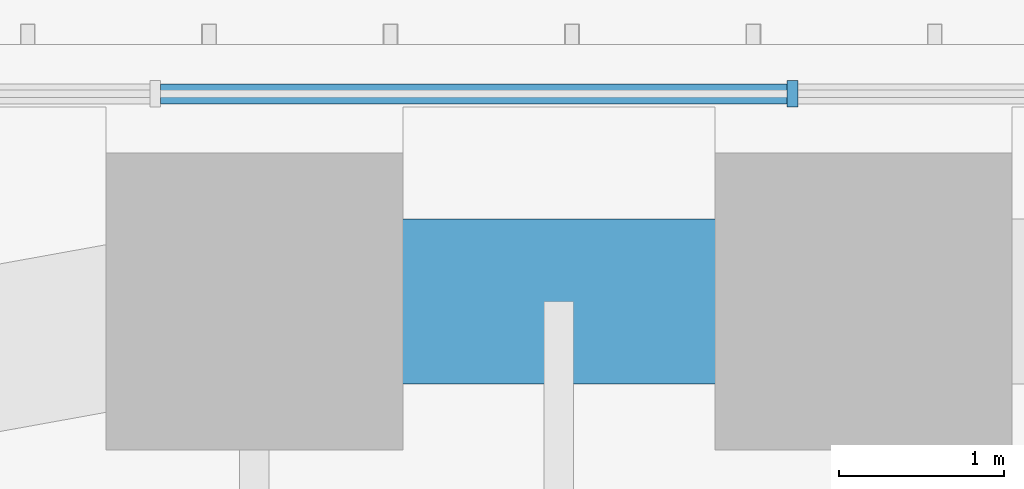
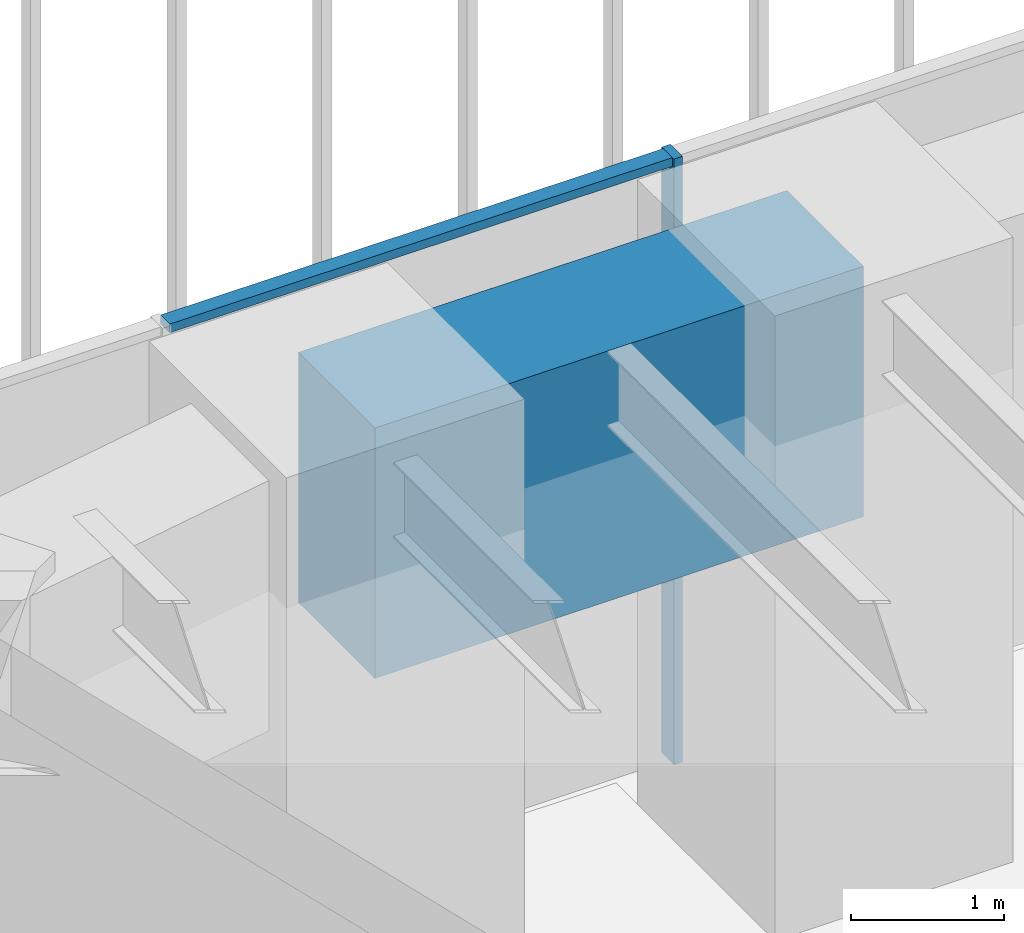
# One storey, part 159 of 228: 2 members, 1 beam, 1 element without a shape of its own.
"""IFC4 building model written with IfcOpenShell, lengths in metres."""

from ifc_helpers import new_model, si_unit, direction, frame, origin, origin_2d, place, context, subcontext, project, spatial, rectangle, extrude, material, material_profile, profile_set, type_object, element, aggregate, save


model = new_model("IFC4")

# Units and contexts
model_context = context("Model", 3, precision=1e-05, world=origin(), true_north=direction((0.0, 1.0)))
body_context = subcontext(model_context, "Body", "Model", "MODEL_VIEW")
ifc_project = project(units=[si_unit("LENGTHUNIT", "METRE"), si_unit("AREAUNIT", "SQUARE_METRE"), si_unit("VOLUMEUNIT", "CUBIC_METRE"), si_unit("PLANEANGLEUNIT", "RADIAN"), si_unit("MASSUNIT", "GRAM", prefix="KILO")], contexts=[model_context])

# Site, building, storey
site_placement = place(None, origin())
site = spatial("IfcSite", under=ifc_project, at=site_placement, CompositionType="ELEMENT")
building_placement = place(site_placement, origin())
building = spatial("IfcBuilding", under=site, at=building_placement, Name="Sandreach Pilgrim Tower", CompositionType="ELEMENT")
storey_placement = place(building_placement, frame((0.0, 0.0, 178.199951171875)))
storey = spatial("IfcBuildingStorey", under=building, at=storey_placement, Name="L44", CompositionType="ELEMENT", Elevation=178.199951171875)

# Curtain wall, members
ifc_material_1 = material(Name="Aluminium framed curtain wall", Category="aluminium")
curtain_wall_type = type_object("IfcCurtainWallType", Name="Upper hotel tower curtain wall", PredefinedType="NOTDEFINED", material=ifc_material_1)
curtain_wall_placement = place(storey_placement, origin())
curtain_wall = element("IfcCurtainWall", 1, at=curtain_wall_placement, inside=storey, type_object=curtain_wall_type, Name="CW-3 L44 N", PredefinedType="NOTDEFINED")
ifc_material_2 = material(Name="Aluminium extrusion", Category="aluminium")
ifc_material_profile_1 = material_profile(ifc_material_2, rectangle(XDim=0.06494140625, YDim=0.159912109375, at=origin_2d()), Name="CW-3M 65X160")
ifc_profile_set_1 = profile_set([ifc_material_profile_1], Name="Aluminium extrusion")
member_type_1 = type_object("IfcMemberType", Name="CW-3 mullion", PredefinedType="MULLION", material=ifc_profile_set_1)
member_1_placement = place(storey_placement, frame((-9.6611328125, 21.16015625, 0.0), z_axis=(0.0, 0.0, 1.0), x_axis=(1.0, 0.0, 0.0)))
member_1 = element("IfcMember", 2, at=member_1_placement, type_object=member_type_1, Name="CW-3 mullion 3", PredefinedType="MULLION", context=body_context, shape_type="SweptSolid", body=[
    extrude(rectangle(XDim=0.06494140625, YDim=0.159912109375, at=origin_2d()), origin(), (0.0, 0.0, 1.0), 4.840087890625),
])
ifc_material_3 = material(Name="Aluminium extrusion", Category="aluminium")
ifc_material_profile_2 = material_profile(ifc_material_3, rectangle(XDim=0.1201171875, YDim=0.070068359375, at=origin_2d()), Name="CW-3T 120X70")
ifc_profile_set_2 = profile_set([ifc_material_profile_2], Name="Aluminium extrusion")
member_type_2 = type_object("IfcMemberType", Name="CW-3 transom", PredefinedType="USERDEFINED", material=ifc_profile_set_2)
member_2_placement = place(storey_placement, frame((-13.492919921875, 21.16015625, 4.804931640625), z_axis=(1.0, 0.0, 0.0), x_axis=(0.0, 1.0, 0.0)))
member_2 = element("IfcMember", 3, at=member_2_placement, type_object=member_type_2, Name="CW-3 head transom 2", ObjectType="TRANSOM", PredefinedType="USERDEFINED", context=body_context, shape_type="SweptSolid", body=[
    extrude(rectangle(XDim=0.1201171875, YDim=0.070068359375, at=origin_2d()), origin(), (0.0, 0.0, 1.0), 3.79931640625),
])
aggregate(curtain_wall, [member_1, member_2])

# Beam
ifc_material_4 = material(Name="Concrete 10000 psi", Category="concrete")
ifc_material_profile_3 = material_profile(ifc_material_4, rectangle(XDim=1.0, YDim=2.0, at=origin_2d()), Name="RC1000X2000")
ifc_profile_set_3 = profile_set([ifc_material_profile_3], Name="Concrete 10000 psi")
beam_type = type_object("IfcBeamType", Name="Spandrel beam RC1000X2000", PredefinedType="SPANDREL", material=ifc_profile_set_3)
beam_placement = place(storey_placement, frame((-12.923828125, 19.900146484375, 3.840087890625), z_axis=(1.0, 0.0, 0.0), x_axis=(0.0, 1.0, 0.0)))
element("IfcBeam", 4, at=beam_placement, inside=storey, type_object=beam_type, Name="BM L44 SP01", PredefinedType="SPANDREL", context=body_context, shape_type="SweptSolid", body=[
    extrude(rectangle(XDim=1.0, YDim=2.0, at=origin_2d()), origin(), (0.0, 0.0, 1.0), 3.692626953125),
])

save(model, "model.ifc")
